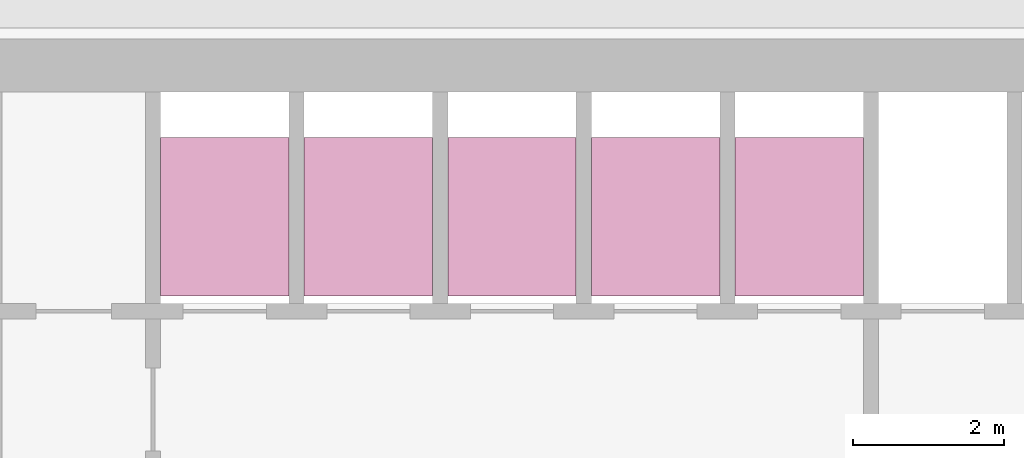
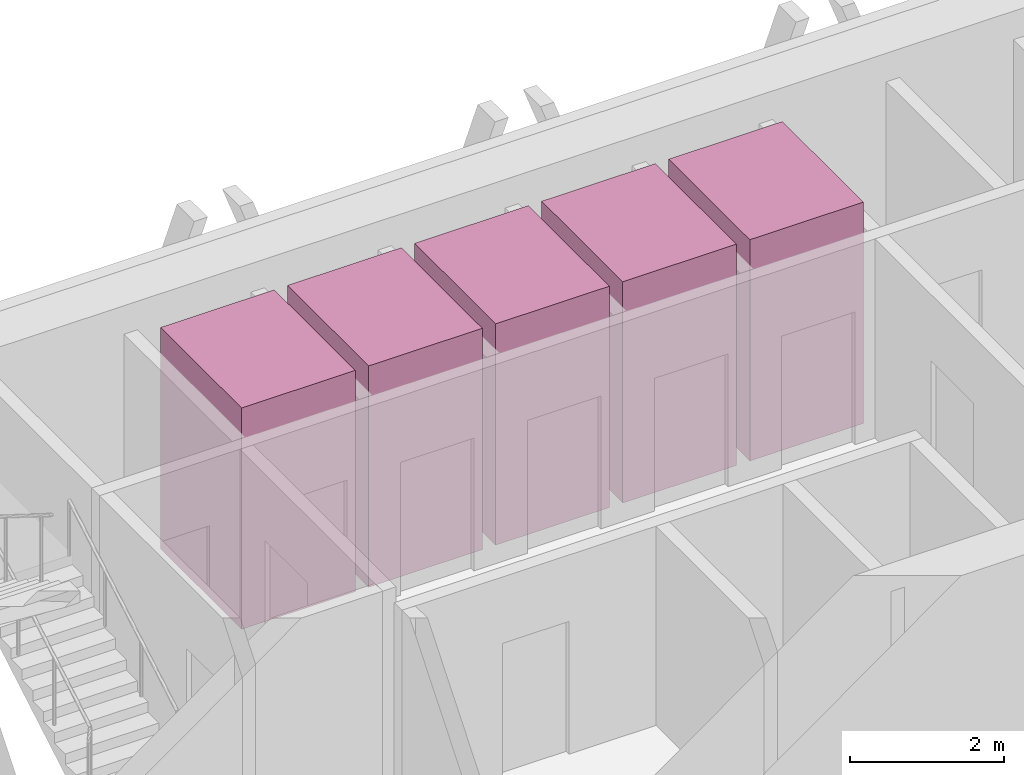
# One storey, part 16 of 16: 5 transport elements.
"""IFC4 building model written with IfcOpenShell, lengths in metres."""

from ifc_helpers import new_model, si_unit, direction, frame, origin, origin_2d, place, context, subcontext, project, spatial, rectangle, extrude, material, type_object, element, save


model = new_model("IFC4")

# Units and contexts
model_context = context("Model", 3, precision=1e-05, world=origin(), true_north=direction((0.0, 1.0)))
body_context = subcontext(model_context, "Body", "Model", "MODEL_VIEW")
ifc_project = project(units=[si_unit("LENGTHUNIT", "METRE"), si_unit("AREAUNIT", "SQUARE_METRE"), si_unit("VOLUMEUNIT", "CUBIC_METRE"), si_unit("PLANEANGLEUNIT", "RADIAN"), si_unit("MASSUNIT", "GRAM", prefix="KILO")], contexts=[model_context])

# Site, building, storey
site_placement = place(None, origin())
site = spatial("IfcSite", under=ifc_project, at=site_placement, CompositionType="ELEMENT")
building_placement = place(site_placement, origin())
building = spatial("IfcBuilding", under=site, at=building_placement, Name="Altiplano Prism Tower", CompositionType="ELEMENT")
storey_placement = place(building_placement, frame((0.0, 0.0, 181.800048828125)))
storey = spatial("IfcBuildingStorey", under=building, at=storey_placement, Name="L47", CompositionType="ELEMENT", Elevation=181.800048828125)

# Transport elements
ifc_material = material(Name="Stainless steel lift car", Category="steel")
transport_element_type = type_object("IfcTransportElementType", Name="Passenger lift car 1600 x 2100", PredefinedType="ELEVATOR", material=ifc_material)
for number, where, z_axis, x_axis, name in (
    (1, (79.050048828125, 101.75, 0.050048828125), (0.0, 0.0, 1.0), (1.0, 0.0, 0.0), "Mid Zone Passenger Lift 1"),
    (2, (80.949951171875, 101.75, 0.050048828125), (0.0, 0.0, 1.0), (1.0, 0.0, 0.0), "Mid Zone Passenger Lift 2"),
    (3, (82.85009765625, 101.75, 0.050048828125), (0.0, 0.0, 1.0), (1.0, 0.0, 0.0), "Mid Zone Passenger Lift 3"),
    (4, (84.75, 101.75, 0.050048828125), (0.0, 0.0, 1.0), (1.0, 0.0, 0.0), "Mid Zone Passenger Lift 4"),
    (5, (86.64990234375, 101.75, 0.050048828125), (0.0, 0.0, 1.0), (1.0, 0.0, 0.0), "Mid Zone Passenger Lift 5"),
):
    element("IfcTransportElement", number, at=place(storey_placement, frame(where, z_axis=z_axis, x_axis=x_axis)), inside=storey, type_object=transport_element_type, Name=name, PredefinedType="ELEVATOR", context=body_context, shape_type="SweptSolid", body=[
        extrude(rectangle(XDim=1.699951171875, YDim=2.10009765625, at=origin_2d()), origin(), (0.0, 0.0, 1.0), 3.5),
    ])

save(model, "model.ifc")
